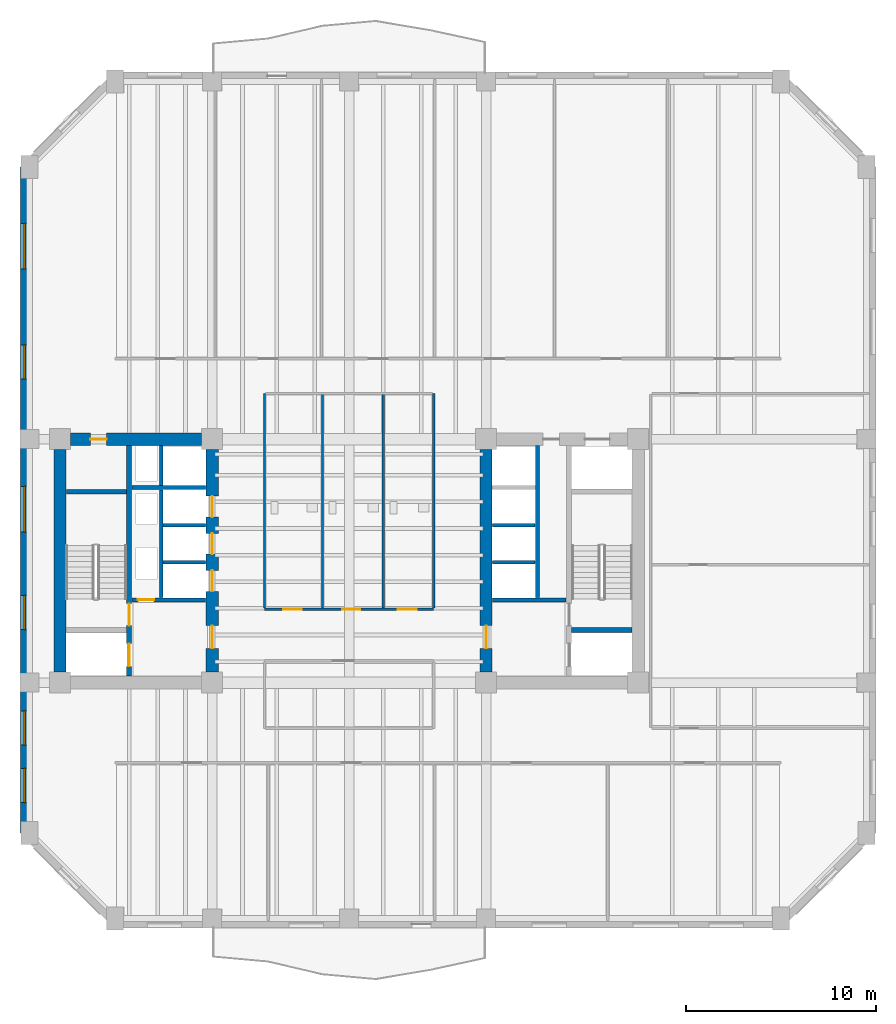
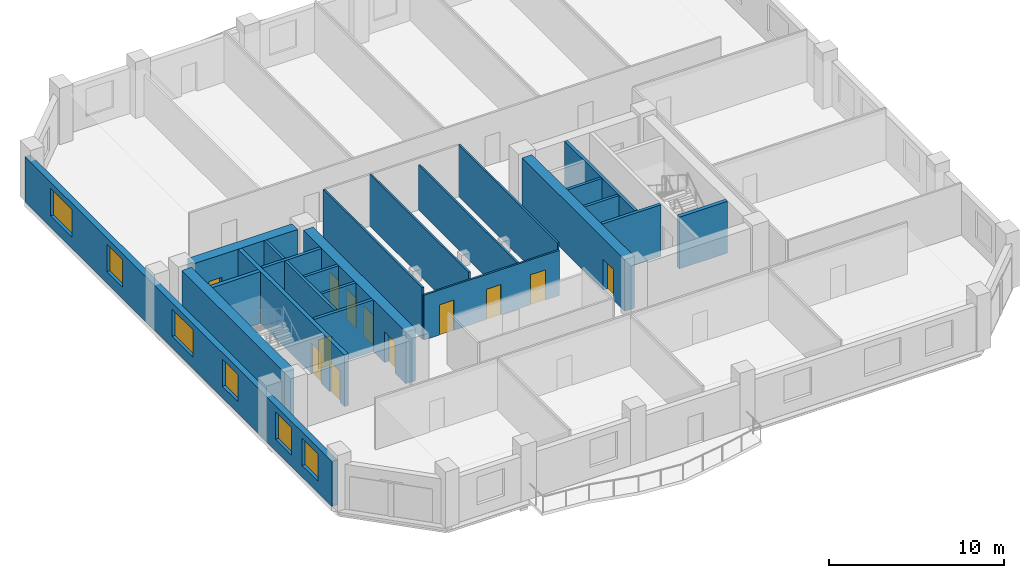
# One storey, part 3 of 9: 23 walls, 12 doors, 6 windows, 18 openings.
"""IFC4 building model written with IfcOpenShell, lengths in metres."""

from ifc_helpers import new_model, si_unit, direction, frame, frame_2d, origin, place, context, subcontext, project, spatial, rectangle, extrude, material, layer, layer_set, type_object, element, fill, save


model = new_model("IFC4")

# Units and contexts
model_context = context("Model", 3, precision=1e-05, world=origin(), true_north=direction((0.0, 1.0)))
body_context = subcontext(model_context, "Body", "Model", "MODEL_VIEW")
ifc_project = project(units=[si_unit("LENGTHUNIT", "METRE"), si_unit("AREAUNIT", "SQUARE_METRE"), si_unit("VOLUMEUNIT", "CUBIC_METRE"), si_unit("PLANEANGLEUNIT", "RADIAN"), si_unit("MASSUNIT", "GRAM", prefix="KILO")], contexts=[model_context])

# Site, building, storey
site_placement = place(None, origin())
site = spatial("IfcSite", under=ifc_project, at=site_placement, CompositionType="ELEMENT")
building_placement = place(site_placement, origin())
building = spatial("IfcBuilding", under=site, at=building_placement, Name="Kranthara Brick Stack", CompositionType="ELEMENT")
storey_placement = place(building_placement, frame((0.0, 0.0, 86.699951171875)))
storey = spatial("IfcBuildingStorey", under=building, at=storey_placement, Name="L21", CompositionType="ELEMENT", Elevation=86.699951171875)

# Wall, openings, windows
ifc_material_1 = material(Name="Kiln-fired clay brick masonry M15", Category="masonry")
ifc_layer_1 = layer(ifc_material_1, 0.3798828125)
ifc_layer_set_1 = layer_set([ifc_layer_1], Name="Kiln-fired clay brick masonry M15")
wall_type_1 = type_object("IfcWallType", Name="WL-BRK-PIER-380", PredefinedType="STANDARD", material=ifc_layer_set_1)
wall_1_placement = place(storey_placement, frame((10.909912109375, 12.89990234375, 0.0), z_axis=(0.0, 0.0, 1.0), x_axis=(0.0, 1.0, 0.0)))
wall_1 = element("IfcWall", 1, at=wall_1_placement, inside=storey, type_object=wall_type_1, Name="L21 Exterior Brick Facade Wall WEST 1", PredefinedType="STANDARD", context=body_context, shape_type="SweptSolid", body=[
    extrude(rectangle(XDim=35.0, YDim=0.3798828125, at=frame_2d((17.5, 0.0))), origin(), (0.0, 0.0, 1.0), 3.135009765625),
])
opening_1_placement = place(wall_1_placement, frame((1.587890625, 0.0, 0.800048828125)))
opening_1 = element("IfcOpeningElement", 2, at=opening_1_placement, cuts=wall_1, Name="Opening WN01", PredefinedType="OPENING", context=body_context, shape_type="SweptSolid", body=[
    extrude(rectangle(XDim=1.800048828125, YDim=1.89990234375, at=frame_2d((0.89990234375, 0.949951171875))), frame((0.0, 0.199951171875, 0.0), z_axis=(0.0, -1.0, 0.0), x_axis=(1.0, 0.0, 0.0)), (0.0, 0.0, 1.0), 0.39990234375),
])
opening_2_placement = place(wall_1_placement, frame((4.612060546875, 0.0, 0.800048828125)))
opening_2 = element("IfcOpeningElement", 3, at=opening_2_placement, cuts=wall_1, Name="Opening WN01", PredefinedType="OPENING", context=body_context, shape_type="SweptSolid", body=[
    extrude(rectangle(XDim=1.800048828125, YDim=1.89990234375, at=frame_2d((0.89990234375, 0.949951171875))), frame((0.0, 0.199951171875, 0.0), z_axis=(0.0, -1.0, 0.0), x_axis=(1.0, 0.0, 0.0)), (0.0, 0.0, 1.0), 0.39990234375),
])
opening_3_placement = place(wall_1_placement, frame((10.68798828125, 0.0, 0.800048828125)))
opening_3 = element("IfcOpeningElement", 4, at=opening_3_placement, cuts=wall_1, Name="Opening WN01", PredefinedType="OPENING", context=body_context, shape_type="SweptSolid", body=[
    extrude(rectangle(XDim=1.800048828125, YDim=1.89990234375, at=frame_2d((0.89990234375, 0.949951171875))), frame((0.0, 0.199951171875, 0.0), z_axis=(0.0, -1.0, 0.0), x_axis=(1.0, 0.0, 0.0)), (0.0, 0.0, 1.0), 0.39990234375),
])
opening_4_placement = place(wall_1_placement, frame((15.81201171875, 0.0, 0.800048828125)))
opening_4 = element("IfcOpeningElement", 5, at=opening_4_placement, cuts=wall_1, Name="Opening WN02", PredefinedType="OPENING", context=body_context, shape_type="SweptSolid", body=[
    extrude(rectangle(XDim=2.39990234375, YDim=1.89990234375, at=frame_2d((1.199951171875, 0.949951171875))), frame((0.0, 0.199951171875, 0.0), z_axis=(0.0, -1.0, 0.0), x_axis=(1.0, 0.0, 0.0)), (0.0, 0.0, 1.0), 0.39990234375),
])
opening_5_placement = place(wall_1_placement, frame((23.85205078125, 0.0, 0.800048828125)))
opening_5 = element("IfcOpeningElement", 6, at=opening_5_placement, cuts=wall_1, Name="Opening WN01", PredefinedType="OPENING", context=body_context, shape_type="SweptSolid", body=[
    extrude(rectangle(XDim=1.800048828125, YDim=1.89990234375, at=frame_2d((0.89990234375, 0.949951171875))), frame((0.0, 0.199951171875, 0.0), z_axis=(0.0, -1.0, 0.0), x_axis=(1.0, 0.0, 0.0)), (0.0, 0.0, 1.0), 0.39990234375),
])
opening_6_placement = place(wall_1_placement, frame((29.64794921875, 0.0, 0.800048828125)))
opening_6 = element("IfcOpeningElement", 7, at=opening_6_placement, cuts=wall_1, Name="Opening WN02", PredefinedType="OPENING", context=body_context, shape_type="SweptSolid", body=[
    extrude(rectangle(XDim=2.39990234375, YDim=1.89990234375, at=frame_2d((1.199951171875, 0.949951171875))), frame((0.0, 0.199951171875, 0.0), z_axis=(0.0, -1.0, 0.0), x_axis=(1.0, 0.0, 0.0)), (0.0, 0.0, 1.0), 0.39990234375),
])
ifc_material_2 = material(Name="Double-glazed low-E solar control glass", Category="glass")
window_type_1 = type_object("IfcWindowType", Name="WN-OFF-1800x2000", PartitioningType="SINGLE_PANEL", PredefinedType="WINDOW", material=ifc_material_2)
window_1_placement = place(opening_1_placement, origin())
window_1 = element("IfcWindow", 8, at=window_1_placement, inside=storey, type_object=window_type_1, Name="L21 West Deep-Set Brick Window 01", OverallHeight=1.89990234375, OverallWidth=1.800048828125, PartitioningType="SINGLE_PANEL", PredefinedType="WINDOW", context=body_context, shape_type="SweptSolid", body=[
    extrude(rectangle(XDim=1.800048828125, YDim=1.89990234375, at=frame_2d((0.89990234375, 0.949951171875))), frame((0.0, -0.010009765625, 0.0), z_axis=(0.0, -1.0, 0.0), x_axis=(1.0, 0.0, 0.0)), (0.0, 0.0, 1.0), 0.06005859375),
])
fill(opening_1, window_1)
window_2_placement = place(opening_2_placement, origin())
window_2 = element("IfcWindow", 9, at=window_2_placement, inside=storey, type_object=window_type_1, Name="L21 West Deep-Set Brick Window 02", OverallHeight=1.89990234375, OverallWidth=1.800048828125, PartitioningType="SINGLE_PANEL", PredefinedType="WINDOW", context=body_context, shape_type="SweptSolid", body=[
    extrude(rectangle(XDim=1.800048828125, YDim=1.89990234375, at=frame_2d((0.89990234375, 0.949951171875))), frame((0.0, -0.010009765625, 0.0), z_axis=(0.0, -1.0, 0.0), x_axis=(1.0, 0.0, 0.0)), (0.0, 0.0, 1.0), 0.06005859375),
])
fill(opening_2, window_2)
window_3_placement = place(opening_3_placement, origin())
window_3 = element("IfcWindow", 10, at=window_3_placement, inside=storey, type_object=window_type_1, Name="L21 West Deep-Set Brick Window 03", OverallHeight=1.89990234375, OverallWidth=1.800048828125, PartitioningType="SINGLE_PANEL", PredefinedType="WINDOW", context=body_context, shape_type="SweptSolid", body=[
    extrude(rectangle(XDim=1.800048828125, YDim=1.89990234375, at=frame_2d((0.89990234375, 0.949951171875))), frame((0.0, -0.010009765625, 0.0), z_axis=(0.0, -1.0, 0.0), x_axis=(1.0, 0.0, 0.0)), (0.0, 0.0, 1.0), 0.06005859375),
])
fill(opening_3, window_3)
window_4_placement = place(opening_5_placement, origin())
window_4 = element("IfcWindow", 11, at=window_4_placement, inside=storey, type_object=window_type_1, Name="L21 West Deep-Set Brick Window 05", OverallHeight=1.89990234375, OverallWidth=1.800048828125, PartitioningType="SINGLE_PANEL", PredefinedType="WINDOW", context=body_context, shape_type="SweptSolid", body=[
    extrude(rectangle(XDim=1.800048828125, YDim=1.89990234375, at=frame_2d((0.89990234375, 0.949951171875))), frame((0.0, -0.010009765625, 0.0), z_axis=(0.0, -1.0, 0.0), x_axis=(1.0, 0.0, 0.0)), (0.0, 0.0, 1.0), 0.06005859375),
])
fill(opening_5, window_4)
ifc_material_3 = material(Name="Double-glazed low-E solar control glass", Category="glass")
window_type_2 = type_object("IfcWindowType", Name="WN-OFF-2400x2000", PartitioningType="DOUBLE_PANEL_VERTICAL", PredefinedType="WINDOW", material=ifc_material_3)
window_5_placement = place(opening_4_placement, origin())
window_5 = element("IfcWindow", 12, at=window_5_placement, inside=storey, type_object=window_type_2, Name="L21 West Deep-Set Brick Window 04", OverallHeight=1.89990234375, OverallWidth=2.39990234375, PartitioningType="SINGLE_PANEL", PredefinedType="WINDOW", context=body_context, shape_type="SweptSolid", body=[
    extrude(rectangle(XDim=2.39990234375, YDim=1.89990234375, at=frame_2d((1.199951171875, 0.949951171875))), frame((0.0, -0.010009765625, 0.0), z_axis=(0.0, -1.0, 0.0), x_axis=(1.0, 0.0, 0.0)), (0.0, 0.0, 1.0), 0.06005859375),
])
fill(opening_4, window_5)
window_6_placement = place(opening_6_placement, origin())
window_6 = element("IfcWindow", 13, at=window_6_placement, inside=storey, type_object=window_type_2, Name="L21 West Deep-Set Brick Window 06", OverallHeight=1.89990234375, OverallWidth=2.39990234375, PartitioningType="SINGLE_PANEL", PredefinedType="WINDOW", context=body_context, shape_type="SweptSolid", body=[
    extrude(rectangle(XDim=2.39990234375, YDim=1.89990234375, at=frame_2d((1.199951171875, 0.949951171875))), frame((0.0, -0.010009765625, 0.0), z_axis=(0.0, -1.0, 0.0), x_axis=(1.0, 0.0, 0.0)), (0.0, 0.0, 1.0), 0.06005859375),
])
fill(opening_6, window_6)

# Wall, openings, doors
ifc_material_4 = material(Name="Concrete C50/60", Category="concrete")
ifc_layer_2 = layer(ifc_material_4, 0.25)
ifc_layer_set_2 = layer_set([ifc_layer_2], Name="Concrete C50/60")
wall_type_2 = type_object("IfcWallType", Name="WL-CORE-250", PredefinedType="SHEAR", material=ifc_layer_set_2)
wall_2_placement = place(storey_placement, frame((16.43505859375, 21.135009765625, 0.0), z_axis=(0.0, 0.0, 1.0), x_axis=(0.0, 1.0, 0.0)))
wall_2 = element("IfcWall", 14, at=wall_2_placement, inside=storey, type_object=wall_type_2, Name="L21 West Core Stair Bearing Spine Wall", PredefinedType="SHEAR", context=body_context, shape_type="SweptSolid", body=[
    extrude(rectangle(XDim=12.1298828125, YDim=0.25, at=frame_2d((6.06494140625, 0.0))), origin(), (0.0, 0.0, 1.0), 3.60009765625),
])
opening_7_placement = place(wall_2_placement, frame((0.514892578125, 0.0, 0.0)))
opening_7 = element("IfcOpeningElement", 15, at=opening_7_placement, cuts=wall_2, Name="Opening LD01", PredefinedType="OPENING", context=body_context, shape_type="SweptSolid", body=[
    extrude(rectangle(XDim=1.199951171875, YDim=2.14990234375, at=frame_2d((0.60009765625, 1.074951171875))), frame((0.0, 0.135009765625, 0.0), z_axis=(0.0, -1.0, 0.0), x_axis=(1.0, 0.0, 0.0)), (0.0, 0.0, 1.0), 0.27001953125),
])
opening_8_placement = place(wall_2_placement, frame((2.6650390625, 0.0, 0.0)))
opening_8 = element("IfcOpeningElement", 16, at=opening_8_placement, cuts=wall_2, Name="Opening D05", PredefinedType="OPENING", context=body_context, shape_type="SweptSolid", body=[
    extrude(rectangle(XDim=1.14990234375, YDim=2.14990234375, at=frame_2d((0.574951171875, 1.074951171875))), frame((0.0, 0.135009765625, 0.0), z_axis=(0.0, -1.0, 0.0), x_axis=(1.0, 0.0, 0.0)), (0.0, 0.0, 1.0), 0.27001953125),
])
ifc_material_5 = material(Name="Stainless steel sliding landing door", Category="steel")
door_type_1 = type_object("IfcDoorType", Name="DR-LD-FF1200", OperationType="DOUBLE_DOOR_SLIDING", PredefinedType="DOOR", material=ifc_material_5)
door_1_placement = place(opening_7_placement, origin())
door_1 = element("IfcDoor", 17, at=door_1_placement, inside=storey, type_object=door_type_1, Name="L21 Firefighting Lift FF-01 Landing Door", OperationType="DOUBLE_DOOR_SLIDING", OverallHeight=2.14990234375, OverallWidth=1.199951171875, PredefinedType="DOOR", context=body_context, shape_type="SweptSolid", body=[
    extrude(rectangle(XDim=1.199951171875, YDim=2.14990234375, at=frame_2d((0.60009765625, 1.074951171875))), frame((0.0, 0.02490234375, 0.0), z_axis=(0.0, -1.0, 0.0), x_axis=(1.0, 0.0, 0.0)), (0.0, 0.0, 1.0), 0.050048828125),
])
fill(opening_7, door_1)
ifc_material_6 = material(Name="Solid-core hardwood timber leaf in steel frame", Category="steel")
door_type_2 = type_object("IfcDoorType", Name="DR-ST-1150", OperationType="NOTDEFINED", PredefinedType="DOOR", material=ifc_material_6)
door_2_placement = place(opening_8_placement, origin())
door_2 = element("IfcDoor", 18, at=door_2_placement, inside=storey, type_object=door_type_2, Name="L21 Exit Stair ST01 Door", OperationType="SINGLE_SWING_RIGHT", OverallHeight=2.14990234375, OverallWidth=1.14990234375, PredefinedType="DOOR", context=body_context, shape_type="SweptSolid", body=[
    extrude(rectangle(XDim=1.14990234375, YDim=2.14990234375, at=frame_2d((0.574951171875, 1.074951171875))), frame((0.0, 0.02490234375, 0.0), z_axis=(0.0, -1.0, 0.0), x_axis=(1.0, 0.0, 0.0)), (0.0, 0.0, 1.0), 0.050048828125),
])
fill(opening_8, door_2)

# Walls
for number, where, z_axis, x_axis, name in (
    (19, (13.135009765625, 30.830078125, 0.0), (0.0, 0.0, 1.0), (1.0, 0.0, 0.0), "L21 West Stairwell Bearing Wall WST"),
    (20, (39.68994140625, 23.570068359375, 0.0), (0.0, 0.0, 1.0), (1.0, 0.0, 0.0), "L21 East Stairwell Bearing Wall EFF"),
):
    element("IfcWall", number, at=place(storey_placement, frame(where, z_axis=z_axis, x_axis=x_axis)), inside=storey, type_object=wall_type_2, Name=name, PredefinedType="SHEAR", context=body_context, shape_type="SweptSolid", body=[
        extrude(rectangle(XDim=3.175048828125, YDim=0.25, at=frame_2d((1.58740234375, 0.0))), origin(), (0.0, 0.0, 1.0), 3.60009765625),
    ])
ifc_material_7 = material(Name="Concrete C60/75", Category="concrete")
ifc_layer_3 = layer(ifc_material_7, 0.64990234375)
ifc_layer_set_3 = layer_set([ifc_layer_3], Name="Concrete C60/75")
wall_type_3 = type_object("IfcWallType", Name="WL-CORE-650", PredefinedType="SHEAR", material=ifc_layer_set_3)
wall_3_placement = place(storey_placement, frame((12.800048828125, 21.35498046875, 0.0), z_axis=(0.0, 0.0, 1.0), x_axis=(0.0, 1.0, 0.0)))
element("IfcWall", 21, at=wall_3_placement, inside=storey, type_object=wall_type_3, Name="L21 West Core Shear Wall West", PredefinedType="SHEAR", context=body_context, shape_type="SweptSolid", body=[
    extrude(rectangle(XDim=11.68994140625, YDim=0.64990234375, at=frame_2d((5.844970703125, 0.0))), origin(), (0.0, 0.0, 1.0), 3.60009765625),
])

# Wall, opening, door
wall_4_placement = place(storey_placement, frame((13.35498046875, 33.60009765625, 0.0), z_axis=(0.0, 0.0, 1.0), x_axis=(1.0, 0.0, 0.0)))
wall_4 = element("IfcWall", 22, at=wall_4_placement, inside=storey, type_object=wall_type_3, Name="L21 West Core Shear Wall North", PredefinedType="SHEAR", context=body_context, shape_type="SweptSolid", body=[
    extrude(rectangle(XDim=6.89013671875, YDim=0.64990234375, at=frame_2d((3.445068359375, 0.0))), origin(), (0.0, 0.0, 1.0), 3.60009765625),
])
opening_9_placement = place(wall_4_placement, frame((1.044921875, 0.0, 0.0)))
opening_9 = element("IfcOpeningElement", 23, at=opening_9_placement, cuts=wall_4, Name="Opening D10", PredefinedType="OPENING", context=body_context, shape_type="SweptSolid", body=[
    extrude(rectangle(XDim=0.85009765625, YDim=2.02001953125, at=frame_2d((0.425048828125, 1.010009765625))), frame((0.0, 0.3349609375, 0.0), z_axis=(0.0, -1.0, 0.0), x_axis=(1.0, 0.0, 0.0)), (0.0, 0.0, 1.0), 0.669921875),
])
ifc_material_8 = material(Name="Solid-core hardwood timber leaf in steel frame", Category="steel")
door_type_3 = type_object("IfcDoorType", Name="DR-RSR-850", OperationType="NOTDEFINED", PredefinedType="DOOR", material=ifc_material_8)
door_3_placement = place(opening_9_placement, origin())
door_3 = element("IfcDoor", 24, at=door_3_placement, inside=storey, type_object=door_type_3, Name="L21 West Core Service Door 1", OperationType="SINGLE_SWING_LEFT", OverallHeight=2.02001953125, OverallWidth=0.85009765625, PredefinedType="DOOR", context=body_context, shape_type="SweptSolid", body=[
    extrude(rectangle(XDim=0.85009765625, YDim=2.02001953125, at=frame_2d((0.425048828125, 1.010009765625))), frame((0.0, 0.02490234375, 0.0), z_axis=(0.0, -1.0, 0.0), x_axis=(1.0, 0.0, 0.0)), (0.0, 0.0, 1.0), 0.050048828125),
])
fill(opening_9, door_3)

# Wall, openings, doors
wall_5_placement = place(storey_placement, frame((20.800048828125, 21.35498046875, 0.0), z_axis=(0.0, 0.0, 1.0), x_axis=(0.0, 1.0, 0.0)))
wall_5 = element("IfcWall", 25, at=wall_5_placement, inside=storey, type_object=wall_type_3, Name="L21 West Core Shear Wall East", PredefinedType="SHEAR", context=body_context, shape_type="SweptSolid", body=[
    extrude(rectangle(XDim=11.68994140625, YDim=0.64990234375, at=frame_2d((5.844970703125, 0.0))), origin(), (0.0, 0.0, 1.0), 3.60009765625),
])
opening_10_placement = place(wall_5_placement, frame((1.2451171875, 0.0, 0.0)))
opening_10 = element("IfcOpeningElement", 26, at=opening_10_placement, cuts=wall_5, Name="Opening D06", PredefinedType="OPENING", context=body_context, shape_type="SweptSolid", body=[
    extrude(rectangle(XDim=1.199951171875, YDim=2.14990234375, at=frame_2d((0.60009765625, 1.074951171875))), frame((0.0, 0.3349609375, 0.0), z_axis=(0.0, -1.0, 0.0), x_axis=(1.0, 0.0, 0.0)), (0.0, 0.0, 1.0), 0.669921875),
])
opening_11_placement = place(wall_5_placement, frame((4.2451171875, 0.0, 0.0)))
opening_11 = element("IfcOpeningElement", 27, at=opening_11_placement, cuts=wall_5, Name="Opening LD02", PredefinedType="OPENING", context=body_context, shape_type="SweptSolid", body=[
    extrude(rectangle(XDim=1.10009765625, YDim=2.10009765625, at=frame_2d((0.550048828125, 1.050048828125))), frame((0.0, 0.3349609375, 0.0), z_axis=(0.0, -1.0, 0.0), x_axis=(1.0, 0.0, 0.0)), (0.0, 0.0, 1.0), 0.669921875),
])
opening_12_placement = place(wall_5_placement, frame((6.195068359375, 0.0, 0.0)))
opening_12 = element("IfcOpeningElement", 28, at=opening_12_placement, cuts=wall_5, Name="Opening LD02", PredefinedType="OPENING", context=body_context, shape_type="SweptSolid", body=[
    extrude(rectangle(XDim=1.10009765625, YDim=2.10009765625, at=frame_2d((0.550048828125, 1.050048828125))), frame((0.0, 0.3349609375, 0.0), z_axis=(0.0, -1.0, 0.0), x_axis=(1.0, 0.0, 0.0)), (0.0, 0.0, 1.0), 0.669921875),
])
opening_13_placement = place(wall_5_placement, frame((8.14501953125, 0.0, 0.0)))
opening_13 = element("IfcOpeningElement", 29, at=opening_13_placement, cuts=wall_5, Name="Opening LD02", PredefinedType="OPENING", context=body_context, shape_type="SweptSolid", body=[
    extrude(rectangle(XDim=1.10009765625, YDim=2.10009765625, at=frame_2d((0.550048828125, 1.050048828125))), frame((0.0, 0.3349609375, 0.0), z_axis=(0.0, -1.0, 0.0), x_axis=(1.0, 0.0, 0.0)), (0.0, 0.0, 1.0), 0.669921875),
])
ifc_material_9 = material(Name="Solid-core hardwood timber leaf in steel frame", Category="steel")
door_type_4 = type_object("IfcDoorType", Name="DR-FFL-1200", OperationType="NOTDEFINED", PredefinedType="DOOR", material=ifc_material_9)
door_4_placement = place(opening_10_placement, origin())
door_4 = element("IfcDoor", 30, at=door_4_placement, inside=storey, type_object=door_type_4, Name="L21 West Firefighting Lobby Door", OperationType="SINGLE_SWING_LEFT", OverallHeight=2.14990234375, OverallWidth=1.199951171875, PredefinedType="DOOR", context=body_context, shape_type="SweptSolid", body=[
    extrude(rectangle(XDim=1.199951171875, YDim=2.14990234375, at=frame_2d((0.60009765625, 1.074951171875))), frame((0.0, 0.02490234375, 0.0), z_axis=(0.0, -1.0, 0.0), x_axis=(1.0, 0.0, 0.0)), (0.0, 0.0, 1.0), 0.050048828125),
])
fill(opening_10, door_4)
ifc_material_10 = material(Name="Stainless steel sliding landing door", Category="steel")
door_type_5 = type_object("IfcDoorType", Name="DR-LD-PL1100", OperationType="DOUBLE_DOOR_SLIDING", PredefinedType="DOOR", material=ifc_material_10)
door_5_placement = place(opening_11_placement, origin())
door_5 = element("IfcDoor", 31, at=door_5_placement, inside=storey, type_object=door_type_5, Name="L21 PL-01 Lift Landing Door", OperationType="DOUBLE_DOOR_SLIDING", OverallHeight=2.10009765625, OverallWidth=1.10009765625, PredefinedType="DOOR", context=body_context, shape_type="SweptSolid", body=[
    extrude(rectangle(XDim=1.10009765625, YDim=2.10009765625, at=frame_2d((0.550048828125, 1.050048828125))), frame((0.0, 0.02490234375, 0.0), z_axis=(0.0, -1.0, 0.0), x_axis=(1.0, 0.0, 0.0)), (0.0, 0.0, 1.0), 0.050048828125),
])
fill(opening_11, door_5)
door_6_placement = place(opening_12_placement, origin())
door_6 = element("IfcDoor", 32, at=door_6_placement, inside=storey, type_object=door_type_5, Name="L21 PL-02 Lift Landing Door", OperationType="DOUBLE_DOOR_SLIDING", OverallHeight=2.10009765625, OverallWidth=1.10009765625, PredefinedType="DOOR", context=body_context, shape_type="SweptSolid", body=[
    extrude(rectangle(XDim=1.10009765625, YDim=2.10009765625, at=frame_2d((0.550048828125, 1.050048828125))), frame((0.0, 0.02490234375, 0.0), z_axis=(0.0, -1.0, 0.0), x_axis=(1.0, 0.0, 0.0)), (0.0, 0.0, 1.0), 0.050048828125),
])
fill(opening_12, door_6)
door_7_placement = place(opening_13_placement, origin())
door_7 = element("IfcDoor", 33, at=door_7_placement, inside=storey, type_object=door_type_5, Name="L21 PL-03 Lift Landing Door", OperationType="DOUBLE_DOOR_SLIDING", OverallHeight=2.10009765625, OverallWidth=1.10009765625, PredefinedType="DOOR", context=body_context, shape_type="SweptSolid", body=[
    extrude(rectangle(XDim=1.10009765625, YDim=2.10009765625, at=frame_2d((0.550048828125, 1.050048828125))), frame((0.0, 0.02490234375, 0.0), z_axis=(0.0, -1.0, 0.0), x_axis=(1.0, 0.0, 0.0)), (0.0, 0.0, 1.0), 0.050048828125),
])
fill(opening_13, door_7)

# Wall, opening, door
wall_6_placement = place(storey_placement, frame((35.199951171875, 21.35498046875, 0.0), z_axis=(0.0, 0.0, 1.0), x_axis=(0.0, 1.0, 0.0)))
wall_6 = element("IfcWall", 34, at=wall_6_placement, inside=storey, type_object=wall_type_3, Name="L21 East Core Shear Wall West", PredefinedType="SHEAR", context=body_context, shape_type="SweptSolid", body=[
    extrude(rectangle(XDim=11.68994140625, YDim=0.64990234375, at=frame_2d((5.844970703125, 0.0))), origin(), (0.0, 0.0, 1.0), 3.60009765625),
])
opening_14_placement = place(wall_6_placement, frame((1.2451171875, 0.0, 0.0)))
opening_14 = element("IfcOpeningElement", 35, at=opening_14_placement, cuts=wall_6, Name="Opening D06", PredefinedType="OPENING", context=body_context, shape_type="SweptSolid", body=[
    extrude(rectangle(XDim=1.199951171875, YDim=2.14990234375, at=frame_2d((0.60009765625, 1.074951171875))), frame((0.0, 0.3349609375, 0.0), z_axis=(0.0, -1.0, 0.0), x_axis=(1.0, 0.0, 0.0)), (0.0, 0.0, 1.0), 0.669921875),
])
door_8_placement = place(opening_14_placement, origin())
door_8 = element("IfcDoor", 36, at=door_8_placement, inside=storey, type_object=door_type_4, Name="L21 East Firefighting Lobby Door", OperationType="SINGLE_SWING_RIGHT", OverallHeight=2.14990234375, OverallWidth=1.199951171875, PredefinedType="DOOR", context=body_context, shape_type="SweptSolid", body=[
    extrude(rectangle(XDim=1.199951171875, YDim=2.14990234375, at=frame_2d((0.60009765625, 1.074951171875))), frame((0.0, 0.02490234375, 0.0), z_axis=(0.0, -1.0, 0.0), x_axis=(1.0, 0.0, 0.0)), (0.0, 0.0, 1.0), 0.050048828125),
])
fill(opening_14, door_8)

# Wall, openings, doors
ifc_material_11 = material(Name="Acoustic gypsum plasterboard partition", Category="other")
ifc_layer_4 = layer(ifc_material_11, 0.1201171875)
ifc_layer_set_4 = layer_set([ifc_layer_4], Name="Acoustic gypsum plasterboard partition")
wall_type_4 = type_object("IfcWallType", Name="WL-PART-120", PredefinedType="PARTITIONING", material=ifc_layer_set_4)
wall_7_placement = place(storey_placement, frame((23.550048828125, 24.64990234375, 0.0), z_axis=(0.0, 0.0, 1.0), x_axis=(1.0, 0.0, 0.0)))
wall_7 = element("IfcWall", 37, at=wall_7_placement, inside=storey, type_object=wall_type_4, Name="L21 Interior Partition 001", PredefinedType="PARTITIONING", context=body_context, shape_type="SweptSolid", body=[
    extrude(rectangle(XDim=8.89990234375, YDim=0.1201171875, at=frame_2d((4.449951171875, 0.0))), origin(), (0.0, 0.0, 1.0), 3.135009765625),
])
opening_15_placement = place(wall_7_placement, frame((1.0, 0.0, 0.0)))
opening_15 = element("IfcOpeningElement", 38, at=opening_15_placement, cuts=wall_7, Name="Opening D14", PredefinedType="OPENING", context=body_context, shape_type="SweptSolid", body=[
    extrude(rectangle(XDim=0.949951171875, YDim=2.10009765625, at=frame_2d((0.47509765625, 1.050048828125))), frame((0.0, 0.070068359375, 0.0), z_axis=(0.0, -1.0, 0.0), x_axis=(1.0, 0.0, 0.0)), (0.0, 0.0, 1.0), 0.14013671875),
])
opening_16_placement = place(wall_7_placement, frame((4.10009765625, 0.0, 0.0)))
opening_16 = element("IfcOpeningElement", 39, at=opening_16_placement, cuts=wall_7, Name="Opening D14", PredefinedType="OPENING", context=body_context, shape_type="SweptSolid", body=[
    extrude(rectangle(XDim=0.949951171875, YDim=2.10009765625, at=frame_2d((0.47509765625, 1.050048828125))), frame((0.0, 0.070068359375, 0.0), z_axis=(0.0, -1.0, 0.0), x_axis=(1.0, 0.0, 0.0)), (0.0, 0.0, 1.0), 0.14013671875),
])
opening_17_placement = place(wall_7_placement, frame((7.0, 0.0, 0.0)))
opening_17 = element("IfcOpeningElement", 40, at=opening_17_placement, cuts=wall_7, Name="Opening D18", PredefinedType="OPENING", context=body_context, shape_type="SweptSolid", body=[
    extrude(rectangle(XDim=1.0, YDim=2.10009765625, at=frame_2d((0.5, 1.050048828125))), frame((0.0, 0.070068359375, 0.0), z_axis=(0.0, -1.0, 0.0), x_axis=(1.0, 0.0, 0.0)), (0.0, 0.0, 1.0), 0.14013671875),
])
ifc_material_12 = material(Name="Solid-core hardwood timber leaf in steel frame", Category="steel")
door_type_6 = type_object("IfcDoorType", Name="DR-ACC-1000", OperationType="NOTDEFINED", PredefinedType="DOOR", material=ifc_material_12)
door_9_placement = place(opening_17_placement, origin())
door_9 = element("IfcDoor", 41, at=door_9_placement, inside=storey, type_object=door_type_6, Name="L21 Accessible WC Door 03", OperationType="SINGLE_SWING_LEFT", OverallHeight=2.10009765625, OverallWidth=1.0, PredefinedType="DOOR", context=body_context, shape_type="SweptSolid", body=[
    extrude(rectangle(XDim=1.0, YDim=2.10009765625, at=frame_2d((0.5, 1.050048828125))), frame((0.0, 0.02490234375, 0.0), z_axis=(0.0, -1.0, 0.0), x_axis=(1.0, 0.0, 0.0)), (0.0, 0.0, 1.0), 0.050048828125),
])
fill(opening_17, door_9)
ifc_material_13 = material(Name="Solid-core hardwood timber leaf in steel frame", Category="steel")
door_type_7 = type_object("IfcDoorType", Name="DR-INT-950", OperationType="NOTDEFINED", PredefinedType="DOOR", material=ifc_material_13)
door_10_placement = place(opening_15_placement, origin())
door_10 = element("IfcDoor", 42, at=door_10_placement, inside=storey, type_object=door_type_7, Name="L21 Male WC Door 01", OperationType="SINGLE_SWING_LEFT", OverallHeight=2.10009765625, OverallWidth=0.949951171875, PredefinedType="DOOR", context=body_context, shape_type="SweptSolid", body=[
    extrude(rectangle(XDim=0.949951171875, YDim=2.10009765625, at=frame_2d((0.47509765625, 1.050048828125))), frame((0.0, 0.02490234375, 0.0), z_axis=(0.0, -1.0, 0.0), x_axis=(1.0, 0.0, 0.0)), (0.0, 0.0, 1.0), 0.050048828125),
])
fill(opening_15, door_10)
door_11_placement = place(opening_16_placement, origin())
door_11 = element("IfcDoor", 43, at=door_11_placement, inside=storey, type_object=door_type_7, Name="L21 Female WC Door 02", OperationType="SINGLE_SWING_RIGHT", OverallHeight=2.10009765625, OverallWidth=0.949951171875, PredefinedType="DOOR", context=body_context, shape_type="SweptSolid", body=[
    extrude(rectangle(XDim=0.949951171875, YDim=2.10009765625, at=frame_2d((0.47509765625, 1.050048828125))), frame((0.0, 0.02490234375, 0.0), z_axis=(0.0, -1.0, 0.0), x_axis=(1.0, 0.0, 0.0)), (0.0, 0.0, 1.0), 0.050048828125),
])
fill(opening_16, door_11)

# Walls
for number, where, z_axis, x_axis, name in (
    (44, (23.550048828125, 24.715087890625, 0.0), (0.0, 0.0, 1.0), (0.0, 1.0, 0.0), "L21 Interior Partition 002"),
    (45, (32.449951171875, 24.715087890625, 0.0), (0.0, 0.0, 1.0), (0.0, 1.0, 0.0), "L21 Interior Partition 003"),
    (46, (26.60009765625, 24.715087890625, 0.0), (0.0, 0.0, 1.0), (0.0, 1.0, 0.0), "L21 Interior Partition 004"),
):
    element("IfcWall", number, at=place(storey_placement, frame(where, z_axis=z_axis, x_axis=x_axis)), inside=storey, type_object=wall_type_4, Name=name, PredefinedType="PARTITIONING", context=body_context, shape_type="SweptSolid", body=[
        extrude(rectangle(XDim=11.284912109375, YDim=0.1201171875, at=frame_2d((5.642578125, 0.0))), origin(), (0.0, 0.0, 1.0), 3.60009765625),
    ])
wall_8_placement = place(storey_placement, frame((29.800048828125, 24.715087890625, 0.0), z_axis=(0.0, 0.0, 1.0), x_axis=(0.0, 1.0, 0.0)))
element("IfcWall", 47, at=wall_8_placement, inside=storey, type_object=wall_type_4, Name="L21 Interior Partition 005", PredefinedType="PARTITIONING", context=body_context, shape_type="SweptSolid", body=[
    extrude(rectangle(XDim=11.284912109375, YDim=0.1201171875, at=frame_2d((5.642578125, 0.0))), origin(), (0.0, 0.0, 1.0), 3.135009765625),
])
ifc_material_14 = material(Name="Gypsum plasterboard on acoustic twin stud", Category="other")
ifc_layer_5 = layer(ifc_material_14, 0.179931640625)
ifc_layer_set_5 = layer_set([ifc_layer_5], Name="Gypsum plasterboard on acoustic twin stud")
wall_type_5 = type_object("IfcWallType", Name="WL-PART-180", PredefinedType="PARTITIONING", material=ifc_layer_set_5)
wall_9_placement = place(storey_placement, frame((18.1201171875, 25.27001953125, 0.0), z_axis=(0.0, 0.0, 1.0), x_axis=(0.0, 1.0, 0.0)))
element("IfcWall", 48, at=wall_9_placement, inside=storey, type_object=wall_type_5, Name="L21 West Hoistway Wall WBK", PredefinedType="PARTITIONING", context=body_context, shape_type="SweptSolid", body=[
    extrude(rectangle(XDim=5.659912109375, YDim=0.179931640625, at=frame_2d((2.830078125, 0.0))), origin(), (0.0, 0.0, 1.0), 3.60009765625),
])
wall_10_placement = place(storey_placement, frame((18.1201171875, 31.169921875, 0.0), z_axis=(0.0, 0.0, 1.0), x_axis=(0.0, 1.0, 0.0)))
element("IfcWall", 49, at=wall_10_placement, inside=storey, type_object=wall_type_5, Name="L21 West Hoistway Wall WBK7", PredefinedType="PARTITIONING", context=body_context, shape_type="SweptSolid", body=[
    extrude(rectangle(XDim=2.094970703125, YDim=0.179931640625, at=frame_2d((1.04736328125, 0.0))), origin(), (0.0, 0.0, 1.0), 3.60009765625),
])
for number, where, z_axis, x_axis, name in (
    (50, (18.219970703125, 27.1201171875, 0.0), (0.0, 0.0, 1.0), (1.0, 0.0, 0.0), "L21 West Hoistway Wall WH1"),
    (51, (18.219970703125, 29.080078125, 0.0), (0.0, 0.0, 1.0), (1.0, 0.0, 0.0), "L21 West Hoistway Wall WH2"),
    (52, (35.534912109375, 27.1201171875, 0.0), (0.0, 0.0, 1.0), (1.0, 0.0, 0.0), "L21 East Hoistway Wall EH1"),
    (53, (35.534912109375, 29.080078125, 0.0), (0.0, 0.0, 1.0), (1.0, 0.0, 0.0), "L21 East Hoistway Wall EH2"),
):
    element("IfcWall", number, at=place(storey_placement, frame(where, z_axis=z_axis, x_axis=x_axis)), inside=storey, type_object=wall_type_5, Name=name, PredefinedType="PARTITIONING", context=body_context, shape_type="SweptSolid", body=[
        extrude(rectangle(XDim=2.2451171875, YDim=0.179931640625, at=frame_2d((1.12255859375, 0.0))), origin(), (0.0, 0.0, 1.0), 3.60009765625),
    ])

# Wall, opening, door
ifc_material_15 = material(Name="Concrete C40/50", Category="concrete")
ifc_layer_6 = layer(ifc_material_15, 0.199951171875)
ifc_layer_set_6 = layer_set([ifc_layer_6], Name="Concrete C40/50")
wall_type_6 = type_object("IfcWallType", Name="WL-PART-200", PredefinedType="SOLIDWALL", material=ifc_layer_set_6)
wall_11_placement = place(storey_placement, frame((16.60009765625, 25.14990234375, 0.0), z_axis=(0.0, 0.0, 1.0), x_axis=(1.0, 0.0, 0.0)))
wall_11 = element("IfcWall", 54, at=wall_11_placement, inside=storey, type_object=wall_type_6, Name="L21 West Core Cross Wall WFL", PredefinedType="SOLIDWALL", context=body_context, shape_type="SweptSolid", body=[
    extrude(rectangle(XDim=3.864990234375, YDim=0.199951171875, at=frame_2d((1.9326171875, 0.0))), origin(), (0.0, 0.0, 1.0), 3.60009765625),
])
opening_18_placement = place(wall_11_placement, frame((0.300048828125, 0.0, 0.0)))
opening_18 = element("IfcOpeningElement", 55, at=opening_18_placement, cuts=wall_11, Name="Opening D10", PredefinedType="OPENING", context=body_context, shape_type="SweptSolid", body=[
    extrude(rectangle(XDim=0.85009765625, YDim=2.02001953125, at=frame_2d((0.425048828125, 1.010009765625))), frame((0.0, 0.10986328125, 0.0), z_axis=(0.0, -1.0, 0.0), x_axis=(1.0, 0.0, 0.0)), (0.0, 0.0, 1.0), 0.219970703125),
])
door_12_placement = place(opening_18_placement, origin())
door_12 = element("IfcDoor", 56, at=door_12_placement, inside=storey, type_object=door_type_3, Name="L21 Mechanical Riser Access Door", OperationType="SINGLE_SWING_LEFT", OverallHeight=2.02001953125, OverallWidth=0.85009765625, PredefinedType="DOOR", context=body_context, shape_type="SweptSolid", body=[
    extrude(rectangle(XDim=0.85009765625, YDim=2.02001953125, at=frame_2d((0.425048828125, 1.010009765625))), frame((0.0, 0.02490234375, 0.0), z_axis=(0.0, -1.0, 0.0), x_axis=(1.0, 0.0, 0.0)), (0.0, 0.0, 1.0), 0.050048828125),
])
fill(opening_18, door_12)

# Walls
wall_12_placement = place(storey_placement, frame((16.60009765625, 31.050048828125, 0.0), z_axis=(0.0, 0.0, 1.0), x_axis=(1.0, 0.0, 0.0)))
element("IfcWall", 57, at=wall_12_placement, inside=storey, type_object=wall_type_6, Name="L21 West Core Cross Wall WH4", PredefinedType="SOLIDWALL", context=body_context, shape_type="SweptSolid", body=[
    extrude(rectangle(XDim=3.849853515625, YDim=0.199951171875, at=frame_2d((1.9248046875, 0.0))), origin(), (0.0, 0.0, 1.0), 3.60009765625),
])
wall_13_placement = place(storey_placement, frame((35.534912109375, 25.14990234375, 0.0), z_axis=(0.0, 0.0, 1.0), x_axis=(1.0, 0.0, 0.0)))
element("IfcWall", 58, at=wall_13_placement, inside=storey, type_object=wall_type_6, Name="L21 East Core Cross Wall EFL", PredefinedType="SOLIDWALL", context=body_context, shape_type="SweptSolid", body=[
    extrude(rectangle(XDim=3.864990234375, YDim=0.199951171875, at=frame_2d((1.9326171875, 0.0))), origin(), (0.0, 0.0, 1.0), 3.60009765625),
])
wall_14_placement = place(storey_placement, frame((37.89990234375, 25.27001953125, 0.0), z_axis=(0.0, 0.0, 1.0), x_axis=(0.0, 1.0, 0.0)))
element("IfcWall", 59, at=wall_14_placement, inside=storey, type_object=wall_type_6, Name="L21 East Core Cross Wall ESV", PredefinedType="SOLIDWALL", context=body_context, shape_type="SweptSolid", body=[
    extrude(rectangle(XDim=7.994873046875, YDim=0.199951171875, at=frame_2d((3.99755859375, 0.0))), origin(), (0.0, 0.0, 1.0), 3.60009765625),
])

save(model, "model.ifc")
